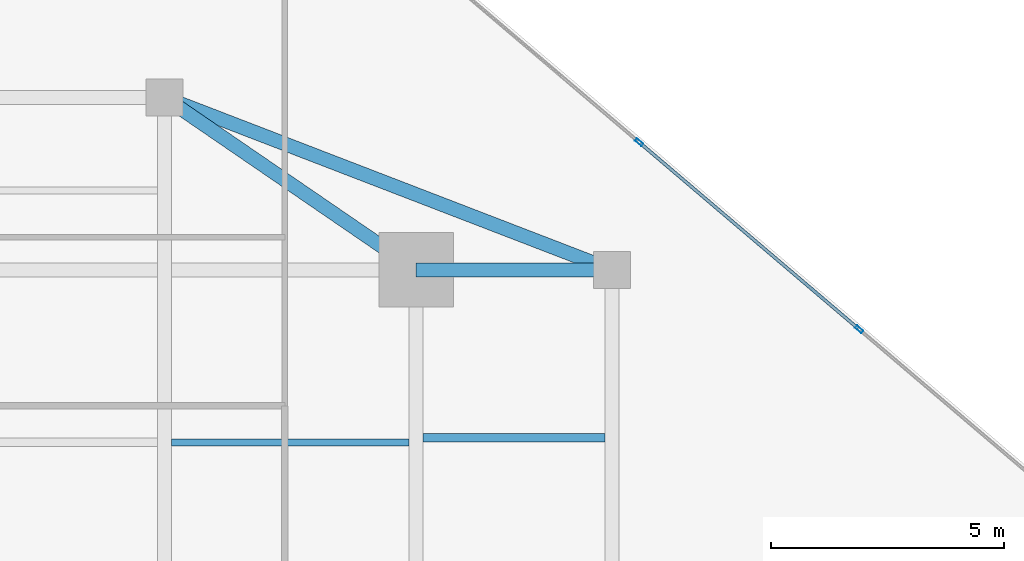
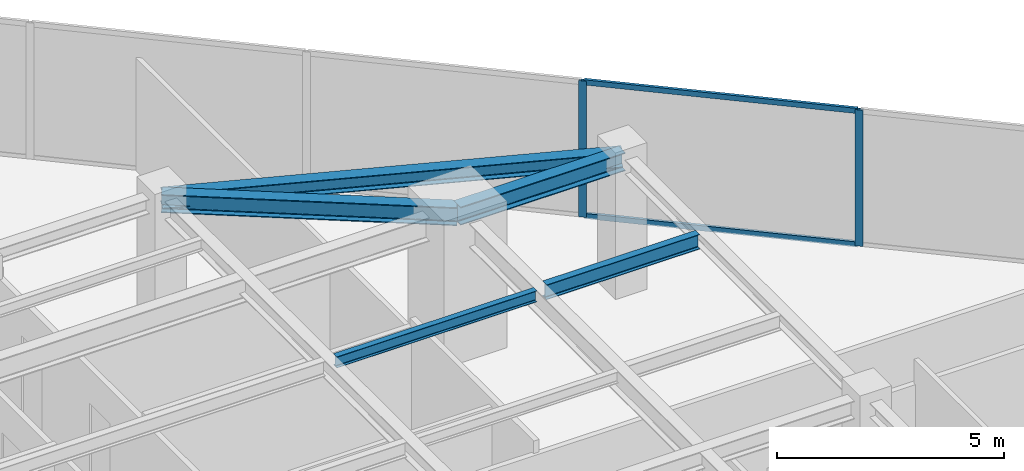
# One storey, part 19 of 25: 5 beams, 4 members, 1 element without a shape of its own.
"""IFC4 building model written with IfcOpenShell, lengths in metres."""

import ifcopenshell
import ifcopenshell.guid

model = None  # the IFC model being written
_history = None  # IfcOwnerHistory: only IFC2X3 demands one
_inside = {}  # id of a spatial element -> (the spatial element, [elements in it])
_under = {}  # id of a project, library or spatial element -> (it, [spatial elements below it])
_declared = {}  # id of a project -> (the project, [libraries it declares])
_typed = {}  # id of a type object -> (the type object, [elements of that type])
_made_of = {}  # id of a material, layer set ... -> (it, [elements and type objects made of it])


def new_model(schema):
    """Start an empty IFC model of exactly this schema.

    Asked for "IFC4X3", IfcOpenShell would pick the latest addendum, in which some entities
    have other attributes; the version numbers below select the first issue.
    IFC2X3 requires an IfcOwnerHistory on every rooted entity: one is made here for all.
    """
    global model, _history
    if schema == "IFC4X3":
        model = ifcopenshell.file(schema_version=(4, 3, 0, 0))
    else:
        model = ifcopenshell.file(schema=schema)
    _inside.clear()
    _under.clear()
    _declared.clear()
    _typed.clear()
    _made_of.clear()
    _history = None
    if model.schema == "IFC2X3":
        org = make("IfcOrganization", Name="unknown")
        user = make(
            "IfcPersonAndOrganization",
            ThePerson=make("IfcPerson", FamilyName="unknown"),
            TheOrganization=org,
        )
        app = make(
            "IfcApplication",
            ApplicationDeveloper=org,
            Version="unknown",
            ApplicationFullName="unknown",
            ApplicationIdentifier="unknown",
        )
        _history = make(
            "IfcOwnerHistory",
            OwningUser=user,
            OwningApplication=app,
            ChangeAction="ADDED",
            CreationDate=0,
        )
    return model


def make(cls, **values):
    """One entity of the class cls with the attributes given. An attribute that is None is left unset."""
    return model.create_entity(
        cls, **{name: value for name, value in values.items() if value is not None}
    )


def rooted(cls, **values):
    """An entity with a GlobalId (a new one), such as an element, a storey or a relation."""
    return make(cls, GlobalId=ifcopenshell.guid.new(), OwnerHistory=_history, **values)


def si_unit(unit_type, name, prefix=None):
    """IfcSIUnit, for example si_unit("LENGTHUNIT", "METRE", prefix="MILLI")."""
    return make("IfcSIUnit", UnitType=unit_type, Prefix=prefix, Name=name)


def assignment(units):
    """IfcUnitAssignment: the units of a project."""
    return None if units is None else make("IfcUnitAssignment", Units=units)


def point(xyz):
    """IfcCartesianPoint."""
    return None if xyz is None else make("IfcCartesianPoint", Coordinates=xyz)


def direction(xyz):
    """IfcDirection."""
    return None if xyz is None else make("IfcDirection", DirectionRatios=xyz)


def frame(location, z_axis=None, x_axis=None):
    """IfcAxis2Placement3D, a coordinate frame: its origin and axes. An axis left out is left unset."""
    return make(
        "IfcAxis2Placement3D",
        Location=point(location),
        Axis=direction(z_axis),
        RefDirection=direction(x_axis),
    )


def frame_2d(location, x_axis=None):
    """IfcAxis2Placement2D, a coordinate frame in the plane: its origin and x axis."""
    return make(
        "IfcAxis2Placement2D", Location=point(location), RefDirection=direction(x_axis)
    )


def origin():
    """The frame at (0, 0, 0) with its axes left unset."""
    return frame((0.0, 0.0, 0.0))


def origin_2d():
    """The frame at (0, 0) in the plane with its x axis left unset."""
    return frame_2d((0.0, 0.0))


def place(relative_to, where):
    """IfcLocalPlacement: puts the frame where relative to a parent placement (None: the world)."""
    return make(
        "IfcLocalPlacement", PlacementRelTo=relative_to, RelativePlacement=where
    )


def context(
    kind, dimensions, precision=None, world=None, true_north=None, identifier=None
):
    """IfcGeometricRepresentationContext, for example the 3D "Model" context."""
    return make(
        "IfcGeometricRepresentationContext",
        ContextIdentifier=identifier,
        ContextType=kind,
        CoordinateSpaceDimension=dimensions,
        Precision=precision,
        WorldCoordinateSystem=world,
        TrueNorth=true_north,
    )


def subcontext(parent, identifier, kind, view, scale=None):
    """IfcGeometricRepresentationSubContext, for example "Body" below "Model"."""
    return make(
        "IfcGeometricRepresentationSubContext",
        ContextIdentifier=identifier,
        ContextType=kind,
        ParentContext=parent,
        TargetScale=scale,
        TargetView=view,
    )


def project(units=None, contexts=None):
    """IfcProject with its units and contexts."""
    return rooted(
        "IfcProject",
        Name="project",
        RepresentationContexts=contexts,
        UnitsInContext=assignment(units),
    )


def spatial(cls, under=None, at=None, **own):
    """A site, building, storey or space (cls), placed at a placement, below another one or the project."""
    s = rooted(cls, ObjectPlacement=at, **own)
    if under is not None:
        _under.setdefault(under.id(), (under, []))[1].append(s)
    return s


def profile(cls, at=None, kind="AREA", **sizes):
    """A parametric profile (cls). Its sizes go by their IFC names, for example OverallWidth=200.0."""
    return make(cls, ProfileType=kind, Position=at, **sizes)


def hollow_rectangle(**sizes):
    """IfcRectangleHollowProfileDef."""
    return profile("IfcRectangleHollowProfileDef", **sizes)


def i_section(**sizes):
    """IfcIShapeProfileDef."""
    return profile("IfcIShapeProfileDef", **sizes)


def extrude(swept, where, along, depth):
    """IfcExtrudedAreaSolid: the profile swept, set in the frame where, extruded along a direction by depth."""
    return make(
        "IfcExtrudedAreaSolid",
        SweptArea=swept,
        Position=where,
        ExtrudedDirection=direction(along),
        Depth=depth,
    )


def shape(context_of_items, identifier, shape_type, items):
    """IfcShapeRepresentation: the items that make up one representation, for example the "Body"."""
    return make(
        "IfcShapeRepresentation",
        ContextOfItems=context_of_items,
        RepresentationIdentifier=identifier,
        RepresentationType=shape_type,
        Items=items,
    )


def source(mapping_origin, context_of_items, identifier, shape_type, items):
    """IfcRepresentationMap: a shape defined once, which mapped items show again and again."""
    return make(
        "IfcRepresentationMap",
        MappingOrigin=mapping_origin,
        MappedRepresentation=shape(context_of_items, identifier, shape_type, items),
    )


def transform(
    local_origin,
    x_axis=None,
    y_axis=None,
    z_axis=None,
    scale=None,
    scale2=None,
    scale3=None,
    uniform=True,
):
    """IfcCartesianTransformationOperator3D, or its non-uniform kind. x_axis, y_axis, z_axis: its Axis1, 2, 3."""
    if uniform:
        return make(
            "IfcCartesianTransformationOperator3D",
            Axis1=direction(x_axis),
            Axis2=direction(y_axis),
            LocalOrigin=point(local_origin),
            Scale=scale,
            Axis3=direction(z_axis),
        )
    return make(
        "IfcCartesianTransformationOperator3DnonUniform",
        Axis1=direction(x_axis),
        Axis2=direction(y_axis),
        LocalOrigin=point(local_origin),
        Scale=scale,
        Axis3=direction(z_axis),
        Scale2=scale2,
        Scale3=scale3,
    )


def mapped(mapping_source, mapping_target):
    """IfcMappedItem: shows the shape of a source again, moved by a transform."""
    return make(
        "IfcMappedItem", MappingSource=mapping_source, MappingTarget=mapping_target
    )


def material(Name=None, Category=None):
    """IfcMaterial."""
    return make("IfcMaterial", Name=Name, Category=Category)


def material_profile(
    of_material, cross_section, Name=None, Category=None, Priority=None
):
    """IfcMaterialProfile: a cross section and its material."""
    return make(
        "IfcMaterialProfile",
        Name=Name,
        Material=of_material,
        Profile=cross_section,
        Priority=Priority,
        Category=Category,
    )


def profile_set(profiles, Name=None, composite=None):
    """IfcMaterialProfileSet."""
    return make(
        "IfcMaterialProfileSet",
        Name=Name,
        MaterialProfiles=profiles,
        CompositeProfile=composite,
    )


def made_of(thing, what):
    """Note that an element or type object is made of a material, layer set ...; save() writes the relation."""
    if what is not None:
        _made_of.setdefault(what.id(), (what, []))[1].append(thing)
    return thing


def type_object(cls, material=None, **own):
    """A type object (cls), such as IfcWallType, which elements share."""
    return made_of(rooted(cls, **own), material)


def type_shapes(of_type, sources):
    """Give a type object the sources (RepresentationMaps) that its elements show as mapped items."""
    of_type.RepresentationMaps = sources


def element(
    cls,
    number,
    at=None,
    inside=None,
    cuts=None,
    type_object=None,
    material=None,
    context=None,
    identifier="Body",
    shape_type=None,
    held_by="IfcProductDefinitionShape",
    body=None,
    shapes=None,
    **own,
):
    """One element of the class cls, such as IfcWall. Its Tag is "e" and its number.

    at: its placement. inside: the storey or other place that contains it. cuts: it is an
    opening in that element (IfcRelVoidsElement). A single representation is given by context,
    identifier, shape_type and body (its items); several are given by shapes. held_by: the class
    of the entity that holds the representations. save() writes the other relations.
    """
    e = rooted(cls, Tag="e%d" % number, ObjectPlacement=at, **own)
    if body is not None:
        shapes = [shape(context, identifier, shape_type, body)]
    if shapes is not None:
        e.Representation = make(held_by, Representations=shapes)
    if inside is not None:
        _inside.setdefault(inside.id(), (inside, []))[1].append(e)
    if cuts is not None:
        rooted(
            "IfcRelVoidsElement", RelatingBuildingElement=cuts, RelatedOpeningElement=e
        )
    if type_object is not None:
        _typed.setdefault(type_object.id(), (type_object, []))[1].append(e)
    return made_of(e, material)


def aggregate(whole, parts):
    """IfcRelAggregates: a whole, such as a stair, and the parts it consists of."""
    return rooted("IfcRelAggregates", RelatingObject=whole, RelatedObjects=parts)


def save(model, path):
    """Write the relations noted so far, then the file.

    IfcRelAggregates (storeys below a building ...), IfcRelContainedInSpatialStructure (elements
    in a storey), IfcRelDefinesByType, IfcRelAssociatesMaterial and IfcRelDeclares: one each for
    every whole, place, type object, material and project.
    """
    for whole, parts in _under.values():
        aggregate(whole, parts)
    for where, things in _inside.values():
        rooted(
            "IfcRelContainedInSpatialStructure",
            RelatedElements=things,
            RelatingStructure=where,
        )
    for kind, things in _typed.values():
        rooted("IfcRelDefinesByType", RelatedObjects=things, RelatingType=kind)
    for what, things in _made_of.values():
        rooted("IfcRelAssociatesMaterial", RelatedObjects=things, RelatingMaterial=what)
    for by, libraries in _declared.values():
        rooted("IfcRelDeclares", RelatingContext=by, RelatedDefinitions=libraries)
    model.write(path)


model = new_model("IFC4")

# Units and contexts
model_context = context("Model", 3, precision=1e-05, world=origin(), true_north=direction((0.0, 1.0)))
body_context = subcontext(model_context, "Body", "Model", "MODEL_VIEW")
ifc_project = project(units=[si_unit("LENGTHUNIT", "METRE"), si_unit("AREAUNIT", "SQUARE_METRE"), si_unit("VOLUMEUNIT", "CUBIC_METRE"), si_unit("PLANEANGLEUNIT", "RADIAN"), si_unit("MASSUNIT", "GRAM", prefix="KILO")], contexts=[model_context])

# Site, building, storey
site_placement = place(None, origin())
site = spatial("IfcSite", under=ifc_project, at=site_placement, CompositionType="ELEMENT")
building_placement = place(site_placement, origin())
building = spatial("IfcBuilding", under=site, at=building_placement, Name="Krantzveldt Concourse Tower", CompositionType="ELEMENT")
storey_placement = place(building_placement, frame((0.0, 0.0, 215.199951171875)))
storey = spatial("IfcBuildingStorey", under=building, at=storey_placement, Name="L52", CompositionType="ELEMENT", Elevation=215.199951171875)

# Beams
ifc_material_1 = material(Name="Steel S355JR", Category="steel")
ifc_material_profile_1 = material_profile(ifc_material_1, i_section(OverallWidth=0.300048828125, OverallDepth=0.389892578125, WebThickness=0.010986328125, FlangeThickness=0.01904296875, FilletRadius=0.027099609375, at=origin_2d()), Name="Steel S355JR", Category="steel")
ifc_profile_set_1 = profile_set([ifc_material_profile_1], Name="Steel S355JR - HEA 400")
beam_type_1 = type_object("IfcBeamType", Name="BM-SP-HEA400", PredefinedType="SPANDREL", material=ifc_profile_set_1)
shared_shape_1 = source(origin(), body_context, "Body", "SweptSolid", [
    extrude(i_section(OverallWidth=0.300048828125, OverallDepth=0.389892578125, WebThickness=0.010986328125, FlangeThickness=0.01904296875, FilletRadius=0.027099609375, at=origin_2d()), origin(), (0.0, 0.0, 1.0), 10.288330078125),
])
type_shapes(beam_type_1, [shared_shape_1])
beam_1_placement = place(storey_placement, frame((41.39990234375, 41.199951171875, 3.47509765625), z_axis=(0.933097690408, -0.359622997257, 0.0), x_axis=(0.359622997257, 0.933097690408, 0.0)))
element("IfcBeam", 1, at=beam_1_placement, inside=storey, type_object=beam_type_1, Name="L52 Tower Girder SP-R05", PredefinedType="SPANDREL", context=body_context, shape_type="MappedRepresentation", body=[
    mapped(shared_shape_1, transform((0.0, 0.0, 0.0), x_axis=(1.0, 0.0, 0.0), y_axis=(0.0, 1.0, 0.0), z_axis=(0.0, 0.0, 1.0), scale=1.0)),
])
ifc_material_profile_2 = material_profile(ifc_material_1, i_section(OverallWidth=0.300048828125, OverallDepth=0.489990234375, WebThickness=0.011962890625, FlangeThickness=0.02294921875, FilletRadius=0.027099609375, at=origin_2d()), Name="Steel S355JR", Category="steel")
ifc_profile_set_2 = profile_set([ifc_material_profile_2], Name="Steel S355JR - HEA 500")
beam_type_2 = type_object("IfcBeamType", Name="BM-B-HEA500", PredefinedType="BEAM", material=ifc_profile_set_2)
shared_shape_2 = source(origin(), body_context, "Body", "SweptSolid", [
    extrude(i_section(OverallWidth=0.300048828125, OverallDepth=0.489990234375, WebThickness=0.011962890625, FlangeThickness=0.02294921875, FilletRadius=0.027099609375, at=origin_2d()), origin(), (0.0, 0.0, 1.0), 4.199951171875),
])
beam_2_placement = place(storey_placement, frame((46.800048828125, 37.5, 3.425048828125), z_axis=(1.0, 0.0, 0.0), x_axis=(0.0, 1.0, 0.0)))
element("IfcBeam", 2, at=beam_2_placement, inside=storey, type_object=beam_type_2, Name="L52 Tower Girder BR-RR3", PredefinedType="BEAM", context=body_context, shape_type="MappedRepresentation", body=[
    mapped(shared_shape_2, transform((0.0, 0.0, 0.0), x_axis=(1.0, 0.0, 0.0), y_axis=(0.0, 1.0, 0.0), z_axis=(0.0, 0.0, 1.0), scale=1.0)),
])
shared_shape_3 = source(origin(), body_context, "Body", "SweptSolid", [
    extrude(i_section(OverallWidth=0.300048828125, OverallDepth=0.489990234375, WebThickness=0.011962890625, FlangeThickness=0.02294921875, FilletRadius=0.027099609375, at=origin_2d()), origin(), (0.0, 0.0, 1.0), 6.546142578125),
])
type_shapes(beam_type_2, [shared_shape_2, shared_shape_3])
beam_3_placement = place(storey_placement, frame((46.800048828125, 37.5, 3.425048828125), z_axis=(-0.824942999484, 0.565215930068, 0.0), x_axis=(-0.565215930068, -0.824942999484, 0.0)))
element("IfcBeam", 3, at=beam_3_placement, inside=storey, type_object=beam_type_2, Name="L52 Tower Girder BR-RR4", PredefinedType="BEAM", context=body_context, shape_type="MappedRepresentation", body=[
    mapped(shared_shape_3, transform((0.0, 0.0, 0.0), x_axis=(1.0, 0.0, 0.0), y_axis=(0.0, 1.0, 0.0), z_axis=(0.0, 0.0, 1.0), scale=1.0)),
])
ifc_material_profile_3 = material_profile(ifc_material_1, i_section(OverallWidth=0.14990234375, OverallDepth=0.300048828125, WebThickness=0.007080078125, FlangeThickness=0.0107421875, FilletRadius=0.014892578125, at=origin_2d()), Name="Steel S355JR", Category="steel")
ifc_profile_set_3 = profile_set([ifc_material_profile_3], Name="Steel S355JR - IPE 300")
beam_type_3 = type_object("IfcBeamType", Name="BM-J-IPE300", PredefinedType="JOIST", material=ifc_profile_set_3)
shared_shape_4 = source(origin(), body_context, "Body", "SweptSolid", [
    extrude(i_section(OverallWidth=0.14990234375, OverallDepth=0.300048828125, WebThickness=0.007080078125, FlangeThickness=0.0107421875, FilletRadius=0.014892578125, at=origin_2d()), origin(), (0.0, 0.0, 1.0), 5.099853515625),
])
type_shapes(beam_type_3, [shared_shape_4])
beam_4_placement = place(storey_placement, frame((41.550048828125, 33.800048828125, 3.52001953125), z_axis=(1.0, 0.0, 0.0), x_axis=(0.0, 1.0, 0.0)))
element("IfcBeam", 4, at=beam_4_placement, inside=storey, type_object=beam_type_3, Name="L52 Secondary Floor Joist JN-E2", PredefinedType="JOIST", context=body_context, shape_type="MappedRepresentation", body=[
    mapped(shared_shape_4, transform((0.0, 0.0, 0.0), x_axis=(1.0, 0.0, 0.0), y_axis=(0.0, 1.0, 0.0), z_axis=(0.0, 0.0, 1.0), scale=1.0)),
])
ifc_material_profile_4 = material_profile(ifc_material_1, i_section(OverallWidth=0.179931640625, OverallDepth=0.39990234375, WebThickness=0.008544921875, FlangeThickness=0.013427734375, FilletRadius=0.02099609375, at=origin_2d()), Name="Steel S355JR", Category="steel")
ifc_profile_set_4 = profile_set([ifc_material_profile_4], Name="Steel S355JR - IPE 400")
beam_type_4 = type_object("IfcBeamType", Name="BM-J-IPE400", PredefinedType="JOIST", material=ifc_profile_set_4)
shared_shape_5 = source(origin(), body_context, "Body", "SweptSolid", [
    extrude(i_section(OverallWidth=0.179931640625, OverallDepth=0.39990234375, WebThickness=0.008544921875, FlangeThickness=0.013427734375, FilletRadius=0.02099609375, at=origin_2d()), origin(), (0.0, 0.0, 1.0), 3.900146484375),
])
type_shapes(beam_type_4, [shared_shape_5])
beam_5_placement = place(storey_placement, frame((46.949951171875, 33.89990234375, 3.469970703125), z_axis=(1.0, 0.0, 0.0), x_axis=(0.0, 1.0, 0.0)))
element("IfcBeam", 5, at=beam_5_placement, inside=storey, type_object=beam_type_4, Name="L52 Secondary Floor Joist JE-4", PredefinedType="JOIST", context=body_context, shape_type="MappedRepresentation", body=[
    mapped(shared_shape_5, transform((0.0, 0.0, 0.0), x_axis=(1.0, 0.0, 0.0), y_axis=(0.0, 1.0, 0.0), z_axis=(0.0, 0.0, 1.0), scale=1.0)),
])

# Curtain wall, members
ifc_material_2 = material(Name="Anodised aluminium 6063-T6", Category="aluminium")
curtain_wall_type = type_object("IfcCurtainWallType", Name="CW3", PredefinedType="USERDEFINED", material=ifc_material_2)
curtain_wall_placement = place(storey_placement, origin())
curtain_wall = element("IfcCurtainWall", 6, at=curtain_wall_placement, inside=storey, type_object=curtain_wall_type, Name="CW-L52-F10", ObjectType="UNITISED CURTAIN WALL", PredefinedType="USERDEFINED")
ifc_material_profile_5 = material_profile(ifc_material_2, hollow_rectangle(XDim=0.070068359375, YDim=0.179931640625, WallThickness=0.0048828125, at=origin_2d()), Name="Anodised aluminium 6063-T6", Category="aluminium")
ifc_profile_set_5 = profile_set([ifc_material_profile_5], Name="Anodised aluminium 6063-T6 - ALU-MULL 180x70x5")
member_type_1 = type_object("IfcMemberType", Name="CW-MUL-180", PredefinedType="MULLION", material=ifc_profile_set_5)
shared_shape_6 = source(origin(), body_context, "Body", "SweptSolid", [
    extrude(hollow_rectangle(XDim=0.070068359375, YDim=0.179931640625, WallThickness=0.0048828125, at=origin_2d()), origin(), (0.0, 0.0, 1.0), 3.670166015625),
])
type_shapes(member_type_1, [shared_shape_6])
member_1_placement = place(storey_placement, frame((56.306396484375, 36.224365234375, 0.0), z_axis=(0.0, 0.0, 1.0), x_axis=(-0.647787694805, -0.761820912327, 0.0)))
member_1 = element("IfcMember", 7, at=member_1_placement, type_object=member_type_1, Name="CW-Z34 mullion 2", PredefinedType="MULLION", context=body_context, shape_type="MappedRepresentation", body=[
    mapped(shared_shape_6, transform((0.0, 0.0, 0.0), x_axis=(1.0, 0.0, 0.0), y_axis=(0.0, 1.0, 0.0), z_axis=(0.0, 0.0, 1.0), scale=1.0)),
])
member_2_placement = place(storey_placement, frame((51.5830078125, 40.24072265625, 0.0), z_axis=(0.0, 0.0, 1.0), x_axis=(-0.647787694805, -0.761820912327, 0.0)))
member_2 = element("IfcMember", 8, at=member_2_placement, type_object=member_type_1, Name="CW-Z34 mullion 3", PredefinedType="MULLION", context=body_context, shape_type="MappedRepresentation", body=[
    mapped(shared_shape_6, transform((0.0, 0.0, 0.0), x_axis=(1.0, 0.0, 0.0), y_axis=(0.0, 1.0, 0.0), z_axis=(0.0, 0.0, 1.0), scale=1.0)),
])
ifc_material_profile_6 = material_profile(ifc_material_2, hollow_rectangle(XDim=0.070068359375, YDim=0.139892578125, WallThickness=0.0048828125, at=origin_2d()), Name="Anodised aluminium 6063-T6", Category="aluminium")
ifc_profile_set_6 = profile_set([ifc_material_profile_6], Name="Anodised aluminium 6063-T6 - ALU-TRAN 140x70x5")
member_type_2 = type_object("IfcMemberType", Name="CW-TRN-150", PredefinedType="USERDEFINED", material=ifc_profile_set_6)
shared_shape_7 = source(origin(), body_context, "Body", "SweptSolid", [
    extrude(hollow_rectangle(XDim=0.070068359375, YDim=0.139892578125, WallThickness=0.0048828125, at=origin_2d()), origin(), (0.0, 0.0, 1.0), 6.1298828125),
])
type_shapes(member_type_2, [shared_shape_7])
member_3_placement = place(storey_placement, frame((56.279541015625, 36.2470703125, 0.03515625), z_axis=(-0.761817452252, 0.647791763952, 0.0), x_axis=(-0.647791763952, -0.761817452252, 0.0)))
member_3 = element("IfcMember", 9, at=member_3_placement, type_object=member_type_2, Name="CW-Z34 transom 2.1", ObjectType="TRANSOM", PredefinedType="USERDEFINED", context=body_context, shape_type="MappedRepresentation", body=[
    mapped(shared_shape_7, transform((0.0, 0.0, 0.0), x_axis=(1.0, 0.0, 0.0), y_axis=(0.0, 1.0, 0.0), z_axis=(0.0, 0.0, 1.0), scale=1.0)),
])
member_4_placement = place(storey_placement, frame((56.279541015625, 36.2470703125, 3.635009765625), z_axis=(-0.761817452252, 0.647791763952, 0.0), x_axis=(-0.647791763952, -0.761817452252, 0.0)))
member_4 = element("IfcMember", 10, at=member_4_placement, type_object=member_type_2, Name="CW-Z34 transom 2.2", ObjectType="TRANSOM", PredefinedType="USERDEFINED", context=body_context, shape_type="MappedRepresentation", body=[
    mapped(shared_shape_7, transform((0.0, 0.0, 0.0), x_axis=(1.0, 0.0, 0.0), y_axis=(0.0, 1.0, 0.0), z_axis=(0.0, 0.0, 1.0), scale=1.0)),
])
aggregate(curtain_wall, [member_1, member_2, member_3, member_4])

save(model, "model.ifc")
